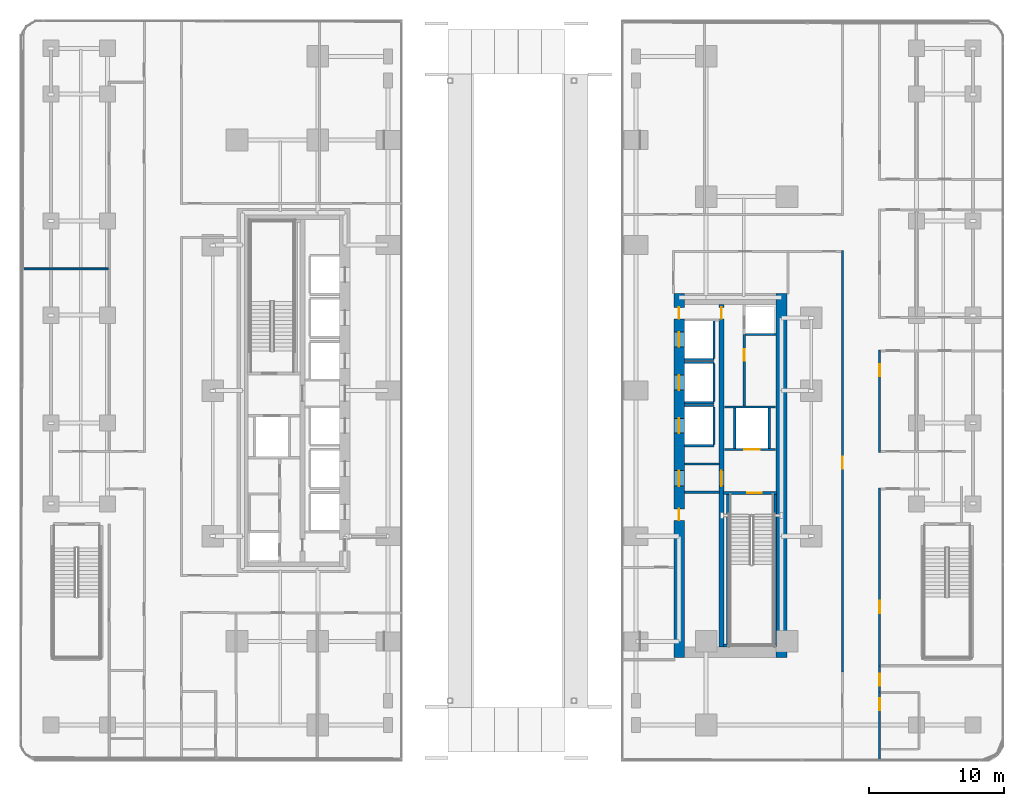
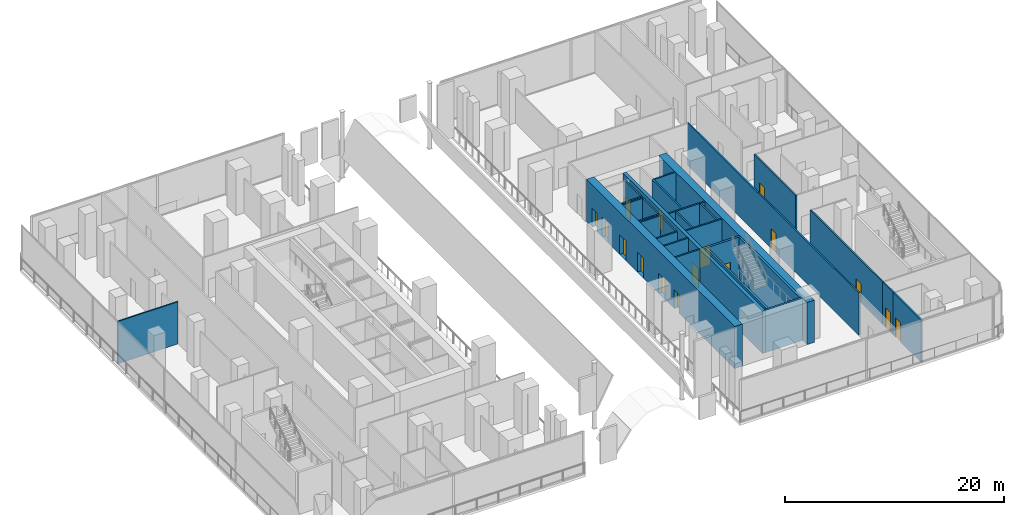
# One storey, part 10 of 31: 29 walls, 16 doors, 16 openings.
"""IFC4 building model written with IfcOpenShell, lengths in metres."""

import ifcopenshell
import ifcopenshell.guid

model = None  # the IFC model being written
_history = None  # IfcOwnerHistory: only IFC2X3 demands one
_inside = {}  # id of a spatial element -> (the spatial element, [elements in it])
_under = {}  # id of a project, library or spatial element -> (it, [spatial elements below it])
_declared = {}  # id of a project -> (the project, [libraries it declares])
_typed = {}  # id of a type object -> (the type object, [elements of that type])
_made_of = {}  # id of a material, layer set ... -> (it, [elements and type objects made of it])


def new_model(schema):
    """Start an empty IFC model of exactly this schema.

    Asked for "IFC4X3", IfcOpenShell would pick the latest addendum, in which some entities
    have other attributes; the version numbers below select the first issue.
    IFC2X3 requires an IfcOwnerHistory on every rooted entity: one is made here for all.
    """
    global model, _history
    if schema == "IFC4X3":
        model = ifcopenshell.file(schema_version=(4, 3, 0, 0))
    else:
        model = ifcopenshell.file(schema=schema)
    _inside.clear()
    _under.clear()
    _declared.clear()
    _typed.clear()
    _made_of.clear()
    _history = None
    if model.schema == "IFC2X3":
        org = make("IfcOrganization", Name="unknown")
        user = make(
            "IfcPersonAndOrganization",
            ThePerson=make("IfcPerson", FamilyName="unknown"),
            TheOrganization=org,
        )
        app = make(
            "IfcApplication",
            ApplicationDeveloper=org,
            Version="unknown",
            ApplicationFullName="unknown",
            ApplicationIdentifier="unknown",
        )
        _history = make(
            "IfcOwnerHistory",
            OwningUser=user,
            OwningApplication=app,
            ChangeAction="ADDED",
            CreationDate=0,
        )
    return model


def make(cls, **values):
    """One entity of the class cls with the attributes given. An attribute that is None is left unset."""
    return model.create_entity(
        cls, **{name: value for name, value in values.items() if value is not None}
    )


def rooted(cls, **values):
    """An entity with a GlobalId (a new one), such as an element, a storey or a relation."""
    return make(cls, GlobalId=ifcopenshell.guid.new(), OwnerHistory=_history, **values)


def si_unit(unit_type, name, prefix=None):
    """IfcSIUnit, for example si_unit("LENGTHUNIT", "METRE", prefix="MILLI")."""
    return make("IfcSIUnit", UnitType=unit_type, Prefix=prefix, Name=name)


def assignment(units):
    """IfcUnitAssignment: the units of a project."""
    return None if units is None else make("IfcUnitAssignment", Units=units)


def point(xyz):
    """IfcCartesianPoint."""
    return None if xyz is None else make("IfcCartesianPoint", Coordinates=xyz)


def direction(xyz):
    """IfcDirection."""
    return None if xyz is None else make("IfcDirection", DirectionRatios=xyz)


def frame(location, z_axis=None, x_axis=None):
    """IfcAxis2Placement3D, a coordinate frame: its origin and axes. An axis left out is left unset."""
    return make(
        "IfcAxis2Placement3D",
        Location=point(location),
        Axis=direction(z_axis),
        RefDirection=direction(x_axis),
    )


def frame_2d(location, x_axis=None):
    """IfcAxis2Placement2D, a coordinate frame in the plane: its origin and x axis."""
    return make(
        "IfcAxis2Placement2D", Location=point(location), RefDirection=direction(x_axis)
    )


def origin():
    """The frame at (0, 0, 0) with its axes left unset."""
    return frame((0.0, 0.0, 0.0))


def place(relative_to, where):
    """IfcLocalPlacement: puts the frame where relative to a parent placement (None: the world)."""
    return make(
        "IfcLocalPlacement", PlacementRelTo=relative_to, RelativePlacement=where
    )


def context(
    kind, dimensions, precision=None, world=None, true_north=None, identifier=None
):
    """IfcGeometricRepresentationContext, for example the 3D "Model" context."""
    return make(
        "IfcGeometricRepresentationContext",
        ContextIdentifier=identifier,
        ContextType=kind,
        CoordinateSpaceDimension=dimensions,
        Precision=precision,
        WorldCoordinateSystem=world,
        TrueNorth=true_north,
    )


def subcontext(parent, identifier, kind, view, scale=None):
    """IfcGeometricRepresentationSubContext, for example "Body" below "Model"."""
    return make(
        "IfcGeometricRepresentationSubContext",
        ContextIdentifier=identifier,
        ContextType=kind,
        ParentContext=parent,
        TargetScale=scale,
        TargetView=view,
    )


def project(units=None, contexts=None):
    """IfcProject with its units and contexts."""
    return rooted(
        "IfcProject",
        Name="project",
        RepresentationContexts=contexts,
        UnitsInContext=assignment(units),
    )


def spatial(cls, under=None, at=None, **own):
    """A site, building, storey or space (cls), placed at a placement, below another one or the project."""
    s = rooted(cls, ObjectPlacement=at, **own)
    if under is not None:
        _under.setdefault(under.id(), (under, []))[1].append(s)
    return s


def profile(cls, at=None, kind="AREA", **sizes):
    """A parametric profile (cls). Its sizes go by their IFC names, for example OverallWidth=200.0."""
    return make(cls, ProfileType=kind, Position=at, **sizes)


def rectangle(**sizes):
    """IfcRectangleProfileDef."""
    return profile("IfcRectangleProfileDef", **sizes)


def extrude(swept, where, along, depth):
    """IfcExtrudedAreaSolid: the profile swept, set in the frame where, extruded along a direction by depth."""
    return make(
        "IfcExtrudedAreaSolid",
        SweptArea=swept,
        Position=where,
        ExtrudedDirection=direction(along),
        Depth=depth,
    )


def shape(context_of_items, identifier, shape_type, items):
    """IfcShapeRepresentation: the items that make up one representation, for example the "Body"."""
    return make(
        "IfcShapeRepresentation",
        ContextOfItems=context_of_items,
        RepresentationIdentifier=identifier,
        RepresentationType=shape_type,
        Items=items,
    )


def material(Name=None, Category=None):
    """IfcMaterial."""
    return make("IfcMaterial", Name=Name, Category=Category)


def layer(
    of_material, thickness, ventilated=None, Name=None, Category=None, Priority=None
):
    """IfcMaterialLayer: one layer of a wall or slab, of a material (None: an air gap)."""
    return make(
        "IfcMaterialLayer",
        Material=of_material,
        LayerThickness=thickness,
        IsVentilated=ventilated,
        Name=Name,
        Category=Category,
        Priority=Priority,
    )


def layer_set(layers, Name=None):
    """IfcMaterialLayerSet."""
    return make("IfcMaterialLayerSet", MaterialLayers=layers, LayerSetName=Name)


def made_of(thing, what):
    """Note that an element or type object is made of a material, layer set ...; save() writes the relation."""
    if what is not None:
        _made_of.setdefault(what.id(), (what, []))[1].append(thing)
    return thing


def type_object(cls, material=None, **own):
    """A type object (cls), such as IfcWallType, which elements share."""
    return made_of(rooted(cls, **own), material)


def element(
    cls,
    number,
    at=None,
    inside=None,
    cuts=None,
    type_object=None,
    material=None,
    context=None,
    identifier="Body",
    shape_type=None,
    held_by="IfcProductDefinitionShape",
    body=None,
    shapes=None,
    **own,
):
    """One element of the class cls, such as IfcWall. Its Tag is "e" and its number.

    at: its placement. inside: the storey or other place that contains it. cuts: it is an
    opening in that element (IfcRelVoidsElement). A single representation is given by context,
    identifier, shape_type and body (its items); several are given by shapes. held_by: the class
    of the entity that holds the representations. save() writes the other relations.
    """
    e = rooted(cls, Tag="e%d" % number, ObjectPlacement=at, **own)
    if body is not None:
        shapes = [shape(context, identifier, shape_type, body)]
    if shapes is not None:
        e.Representation = make(held_by, Representations=shapes)
    if inside is not None:
        _inside.setdefault(inside.id(), (inside, []))[1].append(e)
    if cuts is not None:
        rooted(
            "IfcRelVoidsElement", RelatingBuildingElement=cuts, RelatedOpeningElement=e
        )
    if type_object is not None:
        _typed.setdefault(type_object.id(), (type_object, []))[1].append(e)
    return made_of(e, material)


def fill(opening, filler):
    """IfcRelFillsElement: the door or window that sits in an opening."""
    return rooted(
        "IfcRelFillsElement",
        RelatingOpeningElement=opening,
        RelatedBuildingElement=filler,
    )


def aggregate(whole, parts):
    """IfcRelAggregates: a whole, such as a stair, and the parts it consists of."""
    return rooted("IfcRelAggregates", RelatingObject=whole, RelatedObjects=parts)


def save(model, path):
    """Write the relations noted so far, then the file.

    IfcRelAggregates (storeys below a building ...), IfcRelContainedInSpatialStructure (elements
    in a storey), IfcRelDefinesByType, IfcRelAssociatesMaterial and IfcRelDeclares: one each for
    every whole, place, type object, material and project.
    """
    for whole, parts in _under.values():
        aggregate(whole, parts)
    for where, things in _inside.values():
        rooted(
            "IfcRelContainedInSpatialStructure",
            RelatedElements=things,
            RelatingStructure=where,
        )
    for kind, things in _typed.values():
        rooted("IfcRelDefinesByType", RelatedObjects=things, RelatingType=kind)
    for what, things in _made_of.values():
        rooted("IfcRelAssociatesMaterial", RelatedObjects=things, RelatingMaterial=what)
    for by, libraries in _declared.values():
        rooted("IfcRelDeclares", RelatingContext=by, RelatedDefinitions=libraries)
    model.write(path)


model = new_model("IFC4")

# Units and contexts
model_context = context("Model", 3, precision=1e-05, world=origin(), true_north=direction((0.0, 1.0)))
body_context = subcontext(model_context, "Body", "Model", "MODEL_VIEW")
ifc_project = project(units=[si_unit("LENGTHUNIT", "METRE"), si_unit("AREAUNIT", "SQUARE_METRE"), si_unit("VOLUMEUNIT", "CUBIC_METRE"), si_unit("PLANEANGLEUNIT", "RADIAN"), si_unit("MASSUNIT", "GRAM", prefix="KILO")], contexts=[model_context])

# Site, building, storey
site_placement = place(None, origin())
site = spatial("IfcSite", under=ifc_project, at=site_placement, CompositionType="ELEMENT")
building_placement = place(site_placement, origin())
building = spatial("IfcBuilding", under=site, at=building_placement, Name="Khairoan Windgate Tower", CompositionType="ELEMENT")
storey_placement = place(building_placement, frame((0.0, 0.0, 11.0)))
storey = spatial("IfcBuildingStorey", under=building, at=storey_placement, Name="L03", CompositionType="ELEMENT", Elevation=11.0)

# Walls
ifc_material_1 = material(Name="Concrete C40/50", Category="concrete")
ifc_layer_1 = layer(ifc_material_1, 0.159912109375, Name="Concrete C40/50")
ifc_layer_set_1 = layer_set([ifc_layer_1], Name="Concrete C40/50")
wall_type_1 = type_object("IfcWallType", Name="Core and Hoistway Enclosure Wall", PredefinedType="STANDARD", material=ifc_layer_set_1)
wall_1_placement = place(storey_placement, frame((12.800048828125, 2.31005859375, 0.0), z_axis=(0.0, 0.0, 1.0), x_axis=(1.0, 0.0, 0.0)))
element("IfcWall", 1, at=wall_1_placement, inside=storey, type_object=wall_type_1, Name="L03 Lift PL7 Hoistway Divider S", PredefinedType="STANDARD", context=body_context, shape_type="SweptSolid", body=[
    extrude(rectangle(XDim=2.18994140625, YDim=0.159912109375, at=frame_2d((1.094970703125, 0.0))), origin(), (0.0, 0.0, 1.0), 4.699951171875),
])
wall_2_placement = place(storey_placement, frame((14.989990234375, 2.39990234375, 0.0), z_axis=(0.0, 0.0, 1.0), x_axis=(0.0, 1.0, 0.0)))
element("IfcWall", 2, at=wall_2_placement, inside=storey, type_object=wall_type_1, Name="L03 Lift PL7 Hoistway Back Wall", PredefinedType="STANDARD", context=body_context, shape_type="SweptSolid", body=[
    extrude(rectangle(XDim=2.800048828125, YDim=0.159912109375, at=frame_2d((1.39990234375, 0.0))), origin(), (0.0, 0.0, 1.0), 4.699951171875),
])
for number, where, z_axis, x_axis, name in (
    (3, (12.800048828125, -0.889892578125, 0.0), (0.0, 0.0, 1.0), (1.0, 0.0, 0.0), "L03 Lift PL8 Hoistway Divider S"),
    (4, (12.800048828125, 2.090087890625, 0.0), (0.0, 0.0, 1.0), (1.0, 0.0, 0.0), "L03 Lift PL8 Hoistway Divider N"),
):
    element("IfcWall", number, at=place(storey_placement, frame(where, z_axis=z_axis, x_axis=x_axis)), inside=storey, type_object=wall_type_1, Name=name, PredefinedType="STANDARD", context=body_context, shape_type="SweptSolid", body=[
        extrude(rectangle(XDim=2.18994140625, YDim=0.159912109375, at=frame_2d((1.094970703125, 0.0))), origin(), (0.0, 0.0, 1.0), 4.699951171875),
    ])
wall_3_placement = place(storey_placement, frame((14.989990234375, -0.800048828125, 0.0), z_axis=(0.0, 0.0, 1.0), x_axis=(0.0, 1.0, 0.0)))
element("IfcWall", 5, at=wall_3_placement, inside=storey, type_object=wall_type_1, Name="L03 Lift PL8 Hoistway Back Wall", PredefinedType="STANDARD", context=body_context, shape_type="SweptSolid", body=[
    extrude(rectangle(XDim=2.800048828125, YDim=0.159912109375, at=frame_2d((1.39990234375, 0.0))), origin(), (0.0, 0.0, 1.0), 4.699951171875),
])
for number, where, z_axis, x_axis, name in (
    (6, (12.800048828125, -4.090087890625, 0.0), (0.0, 0.0, 1.0), (1.0, 0.0, 0.0), "L03 Lift PL9 Hoistway Divider S"),
    (7, (12.800048828125, -1.110107421875, 0.0), (0.0, 0.0, 1.0), (1.0, 0.0, 0.0), "L03 Lift PL9 Hoistway Divider N"),
):
    element("IfcWall", number, at=place(storey_placement, frame(where, z_axis=z_axis, x_axis=x_axis)), inside=storey, type_object=wall_type_1, Name=name, PredefinedType="STANDARD", context=body_context, shape_type="SweptSolid", body=[
        extrude(rectangle(XDim=2.18994140625, YDim=0.159912109375, at=frame_2d((1.094970703125, 0.0))), origin(), (0.0, 0.0, 1.0), 4.699951171875),
    ])
wall_4_placement = place(storey_placement, frame((14.989990234375, -4.0, 0.0), z_axis=(0.0, 0.0, 1.0), x_axis=(0.0, 1.0, 0.0)))
element("IfcWall", 8, at=wall_4_placement, inside=storey, type_object=wall_type_1, Name="L03 Lift PL9 Hoistway Back Wall", PredefinedType="STANDARD", context=body_context, shape_type="SweptSolid", body=[
    extrude(rectangle(XDim=2.800048828125, YDim=0.159912109375, at=frame_2d((1.39990234375, 0.0))), origin(), (0.0, 0.0, 1.0), 4.699951171875),
])

# Wall, opening, door
wall_5_placement = place(storey_placement, frame((15.75, -4.360107421875, 0.0), z_axis=(0.0, 0.0, 1.0), x_axis=(1.0, 0.0, 0.0)))
wall_5 = element("IfcWall", 9, at=wall_5_placement, inside=storey, type_object=wall_type_1, Name="L03 Core Shaft Wall SW-FL1-L03", PredefinedType="STANDARD", context=body_context, shape_type="SweptSolid", body=[
    extrude(rectangle(XDim=3.800048828125, YDim=0.159912109375, at=frame_2d((1.89990234375, 0.0))), origin(), (0.0, 0.0, 1.0), 4.699951171875),
])
opening_1_placement = place(wall_5_placement, frame((1.469970703125, 0.0, 0.0)))
opening_1 = element("IfcOpeningElement", 10, at=opening_1_placement, cuts=wall_5, Name="Opening LD-FL", PredefinedType="OPENING", context=body_context, shape_type="SweptSolid", body=[
    extrude(rectangle(XDim=1.14990234375, YDim=2.199951171875, at=frame_2d((0.574951171875, 1.10009765625))), frame((0.0, 0.08984375, 0.0), z_axis=(0.0, -1.0, 0.0), x_axis=(1.0, 0.0, 0.0)), (0.0, 0.0, 1.0), 0.179931640625),
])
ifc_material_2 = material(Name="Steel S355", Category="steel")
door_type_1 = type_object("IfcDoorType", Name="Firefighting Lift Sliding Landing Door LD-FL 1150x2200", OperationType="DOUBLE_DOOR_SLIDING", PredefinedType="DOOR", material=ifc_material_2)
door_1_placement = place(opening_1_placement, origin())
door_1 = element("IfcDoor", 11, at=door_1_placement, inside=storey, type_object=door_type_1, Name="L03 Firefighting Lift FL1 Landing Door", OperationType="DOUBLE_DOOR_SLIDING", OverallHeight=2.199951171875, OverallWidth=1.14990234375, PredefinedType="DOOR", context=body_context, shape_type="SweptSolid", body=[
    extrude(rectangle(XDim=1.14990234375, YDim=2.199951171875, at=frame_2d((0.574951171875, 1.10009765625))), frame((0.0, 0.02490234375, 0.0), z_axis=(0.0, -1.0, 0.0), x_axis=(1.0, 0.0, 0.0)), (0.0, 0.0, 1.0), 0.050048828125),
])
fill(opening_1, door_1)

# Walls
wall_6_placement = place(storey_placement, frame((15.75, -1.219970703125, 0.0), z_axis=(0.0, 0.0, 1.0), x_axis=(1.0, 0.0, 0.0)))
element("IfcWall", 12, at=wall_6_placement, inside=storey, type_object=wall_type_1, Name="L03 Core Shaft Wall SW-FL1T-L03", PredefinedType="STANDARD", context=body_context, shape_type="SweptSolid", body=[
    extrude(rectangle(XDim=3.800048828125, YDim=0.159912109375, at=frame_2d((1.89990234375, 0.0))), origin(), (0.0, 0.0, 1.0), 4.699951171875),
])
for number, where, z_axis, x_axis, name in (
    (13, (16.52001953125, -4.280029296875, 0.0), (0.0, 0.0, 1.0), (0.0, 1.0, 0.0), "L03 Core Shaft Wall SW-FL1W-L03"),
    (14, (19.080078125, -4.280029296875, 0.0), (0.0, 0.0, 1.0), (0.0, 1.0, 0.0), "L03 Core Shaft Wall SW-FL1E-L03"),
):
    element("IfcWall", number, at=place(storey_placement, frame(where, z_axis=z_axis, x_axis=x_axis)), inside=storey, type_object=wall_type_1, Name=name, PredefinedType="STANDARD", context=body_context, shape_type="SweptSolid", body=[
        extrude(rectangle(XDim=2.97998046875, YDim=0.159912109375, at=frame_2d((1.489990234375, 0.0))), origin(), (0.0, 0.0, 1.0), 4.699951171875),
    ])
for number, where, z_axis, x_axis, name in (
    (15, (12.800048828125, -5.449951171875, 0.0), (0.0, 0.0, 1.0), (1.0, 0.0, 0.0), "L03 Core Shaft Wall SW-EV1-L03"),
    (16, (12.800048828125, -7.5400390625, 0.0), (0.0, 0.0, 1.0), (1.0, 0.0, 0.0), "L03 Core Shaft Wall SW-EV2-L03"),
):
    element("IfcWall", number, at=place(storey_placement, frame(where, z_axis=z_axis, x_axis=x_axis)), inside=storey, type_object=wall_type_1, Name=name, PredefinedType="STANDARD", context=body_context, shape_type="SweptSolid", body=[
        extrude(rectangle(XDim=2.599853515625, YDim=0.159912109375, at=frame_2d((1.2998046875, 0.0))), origin(), (0.0, 0.0, 1.0), 4.699951171875),
    ])
ifc_material_3 = material(Name="Acoustic Fire-Rated Gypsum Partition", Category="gypsum")
ifc_layer_2 = layer(ifc_material_3, 0.139892578125, Name="Acoustic Fire-Rated Gypsum Partition")
ifc_layer_set_2 = layer_set([ifc_layer_2], Name="Acoustic Fire-Rated Gypsum Partition")
wall_type_2 = type_object("IfcWallType", Name="Inter-Tenancy Compartment Wall", PredefinedType="PARTITIONING", material=ifc_layer_set_2)
wall_7_placement = place(storey_placement, frame((-36.29736328125, 9.0400390625, 0.0), z_axis=(0.0, 0.0, 1.0), x_axis=(1.0, 0.0, 0.0)))
element("IfcWall", 17, at=wall_7_placement, inside=storey, type_object=wall_type_2, Name="L03 Interior Partition 027", PredefinedType="PARTITIONING", context=body_context, shape_type="SweptSolid", body=[
    extrude(rectangle(XDim=6.347412109375, YDim=0.139892578125, at=frame_2d((3.173828125, 0.0))), origin(), (0.0, 0.0, 1.0), 4.699951171875),
])

# Wall, opening, door
ifc_material_4 = material(Name="Concrete C40/50", Category="concrete")
ifc_layer_3 = layer(ifc_material_4, 0.159912109375, Name="Concrete C40/50")
ifc_layer_set_3 = layer_set([ifc_layer_3], Name="Concrete C40/50")
wall_type_3 = type_object("IfcWallType", Name="Plant and Refuge Compartment Wall", PredefinedType="PARTITIONING", material=ifc_layer_set_3)
wall_8_placement = place(storey_placement, frame((17.22998046875, -1.139892578125, 0.0), z_axis=(0.0, 0.0, 1.0), x_axis=(0.0, 1.0, 0.0)))
wall_8 = element("IfcWall", 18, at=wall_8_placement, inside=storey, type_object=wall_type_3, Name="L03 Interior Partition 007", PredefinedType="PARTITIONING", context=body_context, shape_type="SweptSolid", body=[
    extrude(rectangle(XDim=5.309814453125, YDim=0.159912109375, at=frame_2d((2.65478515625, 0.0))), origin(), (0.0, 0.0, 1.0), 4.699951171875),
])
opening_2_placement = place(wall_8_placement, frame((3.375244140625, 0.0, 0.0)))
opening_2 = element("IfcOpeningElement", 19, at=opening_2_placement, cuts=wall_8, Name="Opening FD-SRV", PredefinedType="OPENING", context=body_context, shape_type="SweptSolid", body=[
    extrude(rectangle(XDim=0.85009765625, YDim=2.10009765625, at=frame_2d((0.425048828125, 1.050048828125))), frame((0.0, 0.08984375, 0.0), z_axis=(0.0, -1.0, 0.0), x_axis=(1.0, 0.0, 0.0)), (0.0, 0.0, 1.0), 0.179931640625),
])
ifc_material_5 = material(Name="Steel S355", Category="steel")
door_type_2 = type_object("IfcDoorType", Name="Core Service and Riser Fire Door FD-SRV 850x2100", OperationType="NOTDEFINED", PredefinedType="DOOR", material=ifc_material_5)
door_2_placement = place(opening_2_placement, origin())
door_2 = element("IfcDoor", 20, at=door_2_placement, inside=storey, type_object=door_type_2, Name="L03 L03-19-L03-21 Door", OperationType="SINGLE_SWING_RIGHT", OverallHeight=2.10009765625, OverallWidth=0.85009765625, PredefinedType="DOOR", context=body_context, shape_type="SweptSolid", body=[
    extrude(rectangle(XDim=0.85009765625, YDim=2.10009765625, at=frame_2d((0.425048828125, 1.050048828125))), frame((0.0, 0.02490234375, 0.0), z_axis=(0.0, -1.0, 0.0), x_axis=(1.0, 0.0, 0.0)), (0.0, 0.0, 1.0), 0.050048828125),
])
fill(opening_2, door_2)

# Wall
wall_9_placement = place(storey_placement, frame((17.31005859375, 4.169921875, 0.0), z_axis=(0.0, 0.0, 1.0), x_axis=(1.0, 0.0, 0.0)))
element("IfcWall", 21, at=wall_9_placement, inside=storey, type_object=wall_type_3, Name="L03 Interior Partition 008", PredefinedType="PARTITIONING", context=body_context, shape_type="SweptSolid", body=[
    extrude(rectangle(XDim=2.2900390625, YDim=0.159912109375, at=frame_2d((1.14501953125, 0.0))), origin(), (0.0, 0.0, 1.0), 4.699951171875),
])

# Wall, opening, door
ifc_material_6 = material(Name="Acoustic Fire-Rated Gypsum Partition", Category="gypsum")
ifc_layer_4 = layer(ifc_material_6, 0.14990234375, Name="Acoustic Fire-Rated Gypsum Partition")
ifc_layer_set_4 = layer_set([ifc_layer_4], Name="Acoustic Fire-Rated Gypsum Partition")
wall_type_4 = type_object("IfcWallType", Name="Rated Corridor Partition Wall", PredefinedType="PARTITIONING", material=ifc_layer_set_4)
wall_10_placement = place(storey_placement, frame((27.280029296875, -4.594970703125, 0.0), z_axis=(0.0, 0.0, 1.0), x_axis=(0.0, 1.0, 0.0)))
wall_10 = element("IfcWall", 22, at=wall_10_placement, inside=storey, type_object=wall_type_4, Name="L03 Interior Partition 038", PredefinedType="PARTITIONING", context=body_context, shape_type="SweptSolid", body=[
    extrude(rectangle(XDim=7.6298828125, YDim=0.14990234375, at=frame_2d((3.81494140625, 0.0))), origin(), (0.0, 0.0, 1.0), 4.699951171875),
])
opening_3_placement = place(wall_10_placement, frame((5.6689453125, 0.0, 0.0)))
opening_3 = element("IfcOpeningElement", 23, at=opening_3_placement, cuts=wall_10, Name="Opening FD-ENT", PredefinedType="OPENING", context=body_context, shape_type="SweptSolid", body=[
    extrude(rectangle(XDim=0.89990234375, YDim=2.14990234375, at=frame_2d((0.449951171875, 1.074951171875))), frame((0.0, 0.0849609375, 0.0), z_axis=(0.0, -1.0, 0.0), x_axis=(1.0, 0.0, 0.0)), (0.0, 0.0, 1.0), 0.169921875),
])
ifc_material_7 = material(Name="Timber Fire-Rated Core", Category="wood")
door_type_3 = type_object("IfcDoorType", Name="Unit and Office Fire Entrance Door FD-ENT 900x2150", OperationType="NOTDEFINED", PredefinedType="DOOR", material=ifc_material_7)
door_3_placement = place(opening_3_placement, origin())
door_3 = element("IfcDoor", 24, at=door_3_placement, inside=storey, type_object=door_type_3, Name="L03 L03-40-L03-46 Door", OperationType="SINGLE_SWING_RIGHT", OverallHeight=2.14990234375, OverallWidth=0.89990234375, PredefinedType="DOOR", context=body_context, shape_type="SweptSolid", body=[
    extrude(rectangle(XDim=0.89990234375, YDim=2.14990234375, at=frame_2d((0.449951171875, 1.074951171875))), frame((0.0, 0.02490234375, 0.0), z_axis=(0.0, -1.0, 0.0), x_axis=(1.0, 0.0, 0.0)), (0.0, 0.0, 1.0), 0.050048828125),
])
fill(opening_3, door_3)

wall_11_placement = place(storey_placement, frame((27.280029296875, -27.42138671875, 0.0), z_axis=(0.0, 0.0, 1.0), x_axis=(0.0, 1.0, 0.0)))
wall_11 = element("IfcWall", 25, at=wall_11_placement, inside=storey, type_object=wall_type_4, Name="L03 Interior Partition 041", PredefinedType="PARTITIONING", context=body_context, shape_type="SweptSolid", body=[
    extrude(rectangle(XDim=5.061279296875, YDim=0.14990234375, at=frame_2d((2.53076171875, 0.0))), origin(), (0.0, 0.0, 1.0), 4.699951171875),
])
opening_4_placement = place(wall_11_placement, frame((3.701416015625, 0.0, 0.0)))
opening_4 = element("IfcOpeningElement", 26, at=opening_4_placement, cuts=wall_11, Name="Opening FD-ENT", PredefinedType="OPENING", context=body_context, shape_type="SweptSolid", body=[
    extrude(rectangle(XDim=0.89990234375, YDim=2.14990234375, at=frame_2d((0.449951171875, 1.074951171875))), frame((0.0, 0.0849609375, 0.0), z_axis=(0.0, -1.0, 0.0), x_axis=(1.0, 0.0, 0.0)), (0.0, 0.0, 1.0), 0.169921875),
])
door_4_placement = place(opening_4_placement, origin())
door_4 = element("IfcDoor", 27, at=door_4_placement, inside=storey, type_object=door_type_3, Name="L03 L03-40-L03-52 Door", OperationType="SINGLE_SWING_LEFT", OverallHeight=2.14990234375, OverallWidth=0.89990234375, PredefinedType="DOOR", context=body_context, shape_type="SweptSolid", body=[
    extrude(rectangle(XDim=0.89990234375, YDim=2.14990234375, at=frame_2d((0.449951171875, 1.074951171875))), frame((0.0, 0.02490234375, 0.0), z_axis=(0.0, -1.0, 0.0), x_axis=(1.0, 0.0, 0.0)), (0.0, 0.0, 1.0), 0.050048828125),
])
fill(opening_4, door_4)

wall_12_placement = place(storey_placement, frame((24.52001953125, -20.8798828125, 0.0), z_axis=(0.0, 0.0, 1.0), x_axis=(0.0, 1.0, 0.0)))
wall_12 = element("IfcWall", 28, at=wall_12_placement, inside=storey, type_object=wall_type_4, Name="L03 Interior Partition 042", PredefinedType="PARTITIONING", context=body_context, shape_type="SweptSolid", body=[
    extrude(rectangle(XDim=31.27490234375, YDim=0.14990234375, at=frame_2d((15.637451171875, 0.0))), origin(), (0.0, 0.0, 1.0), 4.699951171875),
])
opening_5_placement = place(wall_12_placement, frame((15.08740234375, 0.0, 0.0)))
opening_5 = element("IfcOpeningElement", 29, at=opening_5_placement, cuts=wall_12, Name="Opening FD-ENT", PredefinedType="OPENING", context=body_context, shape_type="SweptSolid", body=[
    extrude(rectangle(XDim=0.89990234375, YDim=2.14990234375, at=frame_2d((0.449951171875, 1.074951171875))), frame((0.0, 0.0849609375, 0.0), z_axis=(0.0, -1.0, 0.0), x_axis=(1.0, 0.0, 0.0)), (0.0, 0.0, 1.0), 0.169921875),
])
door_5_placement = place(opening_5_placement, origin())
door_5 = element("IfcDoor", 30, at=door_5_placement, inside=storey, type_object=door_type_3, Name="L03 L03-40-L03-60 Door", OperationType="SINGLE_SWING_RIGHT", OverallHeight=2.14990234375, OverallWidth=0.89990234375, PredefinedType="DOOR", context=body_context, shape_type="SweptSolid", body=[
    extrude(rectangle(XDim=0.89990234375, YDim=2.14990234375, at=frame_2d((0.449951171875, 1.074951171875))), frame((0.0, 0.02490234375, 0.0), z_axis=(0.0, -1.0, 0.0), x_axis=(1.0, 0.0, 0.0)), (0.0, 0.0, 1.0), 0.050048828125),
])
fill(opening_5, door_5)

wall_13_placement = place(storey_placement, frame((27.280029296875, -20.419921875, 0.0), z_axis=(0.0, 0.0, 1.0), x_axis=(0.0, 1.0, 0.0)))
wall_13 = element("IfcWall", 31, at=wall_13_placement, inside=storey, type_object=wall_type_4, Name="L03 Interior Partition 043", PredefinedType="PARTITIONING", context=body_context, shape_type="SweptSolid", body=[
    extrude(rectangle(XDim=13.21484375, YDim=0.14990234375, at=frame_2d((6.607421875, 0.0))), origin(), (0.0, 0.0, 1.0), 4.699951171875),
])
opening_6_placement = place(wall_13_placement, frame((3.919189453125, 0.0, 0.0)))
opening_6 = element("IfcOpeningElement", 32, at=opening_6_placement, cuts=wall_13, Name="Opening FD-ENT", PredefinedType="OPENING", context=body_context, shape_type="SweptSolid", body=[
    extrude(rectangle(XDim=0.89990234375, YDim=2.14990234375, at=frame_2d((0.449951171875, 1.074951171875))), frame((0.0, 0.0849609375, 0.0), z_axis=(0.0, -1.0, 0.0), x_axis=(1.0, 0.0, 0.0)), (0.0, 0.0, 1.0), 0.169921875),
])
door_6_placement = place(opening_6_placement, origin())
door_6 = element("IfcDoor", 33, at=door_6_placement, inside=storey, type_object=door_type_3, Name="L03 L03-40-L03-61 Door", OperationType="SINGLE_SWING_LEFT", OverallHeight=2.14990234375, OverallWidth=0.89990234375, PredefinedType="DOOR", context=body_context, shape_type="SweptSolid", body=[
    extrude(rectangle(XDim=0.89990234375, YDim=2.14990234375, at=frame_2d((0.449951171875, 1.074951171875))), frame((0.0, 0.02490234375, 0.0), z_axis=(0.0, -1.0, 0.0), x_axis=(1.0, 0.0, 0.0)), (0.0, 0.0, 1.0), 0.050048828125),
])
fill(opening_6, door_6)

wall_14_placement = place(storey_placement, frame((27.280029296875, -22.360107421875, 0.0), z_axis=(0.0, 0.0, 1.0), x_axis=(0.0, 1.0, 0.0)))
wall_14 = element("IfcWall", 34, at=wall_14_placement, inside=storey, type_object=wall_type_4, Name="L03 Interior Partition 045", PredefinedType="PARTITIONING", context=body_context, shape_type="SweptSolid", body=[
    extrude(rectangle(XDim=1.940185546875, YDim=0.14990234375, at=frame_2d((0.97021484375, 0.0))), origin(), (0.0, 0.0, 1.0), 4.699951171875),
])
opening_7_placement = place(wall_14_placement, frame((0.4599609375, 0.0, 0.0)))
opening_7 = element("IfcOpeningElement", 35, at=opening_7_placement, cuts=wall_14, Name="Opening FD-ENT", PredefinedType="OPENING", context=body_context, shape_type="SweptSolid", body=[
    extrude(rectangle(XDim=0.89990234375, YDim=2.14990234375, at=frame_2d((0.449951171875, 1.074951171875))), frame((0.0, 0.0849609375, 0.0), z_axis=(0.0, -1.0, 0.0), x_axis=(1.0, 0.0, 0.0)), (0.0, 0.0, 1.0), 0.169921875),
])
door_7_placement = place(opening_7_placement, origin())
door_7 = element("IfcDoor", 36, at=door_7_placement, inside=storey, type_object=door_type_3, Name="L03 L03-40-L03-65 Door", OperationType="SINGLE_SWING_LEFT", OverallHeight=2.14990234375, OverallWidth=0.89990234375, PredefinedType="DOOR", context=body_context, shape_type="SweptSolid", body=[
    extrude(rectangle(XDim=0.89990234375, YDim=2.14990234375, at=frame_2d((0.449951171875, 1.074951171875))), frame((0.0, 0.02490234375, 0.0), z_axis=(0.0, -1.0, 0.0), x_axis=(1.0, 0.0, 0.0)), (0.0, 0.0, 1.0), 0.050048828125),
])
fill(opening_7, door_7)

# Wall, openings, doors
ifc_material_8 = material(Name="Concrete C70/85", Category="concrete")
ifc_layer_5 = layer(ifc_material_8, 0.800048828125, Name="Concrete C70/85")
ifc_layer_set_5 = layer_set([ifc_layer_5], Name="Concrete C70/85")
wall_type_5 = type_object("IfcWallType", Name="Shear Wall CW-E1 800mm", PredefinedType="SHEAR", material=ifc_layer_set_5)
wall_15_placement = place(storey_placement, frame((12.39990234375, -19.800048828125, 0.0), z_axis=(0.0, 0.0, 1.0), x_axis=(0.0, 1.0, 0.0)))
wall_15 = element("IfcWall", 37, at=wall_15_placement, inside=storey, type_object=wall_type_5, Name="E Core West Shear Wall L03", PredefinedType="SHEAR", context=body_context, shape_type="SweptSolid", body=[
    extrude(rectangle(XDim=27.0, YDim=0.800048828125, at=frame_2d((13.5, 0.0))), origin(), (0.0, 0.0, 1.0), 4.699951171875),
])
opening_8_placement = place(wall_15_placement, frame((23.050048828125, 0.0, 0.0)))
opening_8 = element("IfcOpeningElement", 38, at=opening_8_placement, cuts=wall_15, Name="Opening LD-PL", PredefinedType="OPENING", context=body_context, shape_type="SweptSolid", body=[
    extrude(rectangle(XDim=1.10009765625, YDim=2.199951171875, at=frame_2d((0.550048828125, 1.10009765625))), frame((0.0, 0.409912109375, 0.0), z_axis=(0.0, -1.0, 0.0), x_axis=(1.0, 0.0, 0.0)), (0.0, 0.0, 1.0), 0.820068359375),
])
opening_9_placement = place(wall_15_placement, frame((19.85009765625, 0.0, 0.0)))
opening_9 = element("IfcOpeningElement", 39, at=opening_9_placement, cuts=wall_15, Name="Opening LD-PL", PredefinedType="OPENING", context=body_context, shape_type="SweptSolid", body=[
    extrude(rectangle(XDim=1.10009765625, YDim=2.199951171875, at=frame_2d((0.550048828125, 1.10009765625))), frame((0.0, 0.409912109375, 0.0), z_axis=(0.0, -1.0, 0.0), x_axis=(1.0, 0.0, 0.0)), (0.0, 0.0, 1.0), 0.820068359375),
])
opening_10_placement = place(wall_15_placement, frame((16.64990234375, 0.0, 0.0)))
opening_10 = element("IfcOpeningElement", 40, at=opening_10_placement, cuts=wall_15, Name="Opening LD-PL", PredefinedType="OPENING", context=body_context, shape_type="SweptSolid", body=[
    extrude(rectangle(XDim=1.10009765625, YDim=2.199951171875, at=frame_2d((0.550048828125, 1.10009765625))), frame((0.0, 0.409912109375, 0.0), z_axis=(0.0, -1.0, 0.0), x_axis=(1.0, 0.0, 0.0)), (0.0, 0.0, 1.0), 0.820068359375),
])
opening_11_placement = place(wall_15_placement, frame((10.175048828125, 0.0, 0.0)))
opening_11 = element("IfcOpeningElement", 41, at=opening_11_placement, cuts=wall_15, Name="Opening FD-SRV", PredefinedType="OPENING", context=body_context, shape_type="SweptSolid", body=[
    extrude(rectangle(XDim=0.85009765625, YDim=2.10009765625, at=frame_2d((0.425048828125, 1.050048828125))), frame((0.0, 0.409912109375, 0.0), z_axis=(0.0, -1.0, 0.0), x_axis=(1.0, 0.0, 0.0)), (0.0, 0.0, 1.0), 0.820068359375),
])
opening_12_placement = place(wall_15_placement, frame((12.72509765625, 0.0, 0.0)))
opening_12 = element("IfcOpeningElement", 42, at=opening_12_placement, cuts=wall_15, Name="Opening FD-FFL", PredefinedType="OPENING", context=body_context, shape_type="SweptSolid", body=[
    extrude(rectangle(XDim=1.14990234375, YDim=2.199951171875, at=frame_2d((0.574951171875, 1.10009765625))), frame((0.0, 0.409912109375, 0.0), z_axis=(0.0, -1.0, 0.0), x_axis=(1.0, 0.0, 0.0)), (0.0, 0.0, 1.0), 0.820068359375),
])
opening_13_placement = place(wall_15_placement, frame((25.125, 0.0, 0.0)))
opening_13 = element("IfcOpeningElement", 43, at=opening_13_placement, cuts=wall_15, Name="Opening FD-SRV", PredefinedType="OPENING", context=body_context, shape_type="SweptSolid", body=[
    extrude(rectangle(XDim=0.85009765625, YDim=2.10009765625, at=frame_2d((0.425048828125, 1.050048828125))), frame((0.0, 0.409912109375, 0.0), z_axis=(0.0, -1.0, 0.0), x_axis=(1.0, 0.0, 0.0)), (0.0, 0.0, 1.0), 0.820068359375),
])
door_8_placement = place(opening_11_placement, origin())
door_8 = element("IfcDoor", 44, at=door_8_placement, inside=storey, type_object=door_type_2, Name="L03 East Core Service Room Door 1", OperationType="SINGLE_SWING_LEFT", OverallHeight=2.10009765625, OverallWidth=0.85009765625, PredefinedType="DOOR", context=body_context, shape_type="SweptSolid", body=[
    extrude(rectangle(XDim=0.85009765625, YDim=2.10009765625, at=frame_2d((0.425048828125, 1.050048828125))), frame((0.0, 0.02490234375, 0.0), z_axis=(0.0, -1.0, 0.0), x_axis=(1.0, 0.0, 0.0)), (0.0, 0.0, 1.0), 0.050048828125),
])
fill(opening_11, door_8)
door_9_placement = place(opening_13_placement, origin())
door_9 = element("IfcDoor", 45, at=door_9_placement, inside=storey, type_object=door_type_2, Name="L03 East Core Service Vestibule Outer Door", OperationType="SINGLE_SWING_RIGHT", OverallHeight=2.10009765625, OverallWidth=0.85009765625, PredefinedType="DOOR", context=body_context, shape_type="SweptSolid", body=[
    extrude(rectangle(XDim=0.85009765625, YDim=2.10009765625, at=frame_2d((0.425048828125, 1.050048828125))), frame((0.0, 0.02490234375, 0.0), z_axis=(0.0, -1.0, 0.0), x_axis=(1.0, 0.0, 0.0)), (0.0, 0.0, 1.0), 0.050048828125),
])
fill(opening_13, door_9)
ifc_material_9 = material(Name="Steel S355", Category="steel")
door_type_4 = type_object("IfcDoorType", Name="Firefighting Lobby Fire Door FD-FFL 1150x2200", OperationType="NOTDEFINED", PredefinedType="DOOR", material=ifc_material_9)
door_10_placement = place(opening_12_placement, origin())
door_10 = element("IfcDoor", 46, at=door_10_placement, inside=storey, type_object=door_type_4, Name="L03 East Core Vestibule Entry Door", OperationType="SINGLE_SWING_RIGHT", OverallHeight=2.199951171875, OverallWidth=1.14990234375, PredefinedType="DOOR", context=body_context, shape_type="SweptSolid", body=[
    extrude(rectangle(XDim=1.14990234375, YDim=2.199951171875, at=frame_2d((0.574951171875, 1.10009765625))), frame((0.0, 0.02490234375, 0.0), z_axis=(0.0, -1.0, 0.0), x_axis=(1.0, 0.0, 0.0)), (0.0, 0.0, 1.0), 0.050048828125),
])
fill(opening_12, door_10)
ifc_material_10 = material(Name="Anodised Bronze Aluminium 6063-T6", Category="aluminium")
door_type_5 = type_object("IfcDoorType", Name="Passenger Lift Sliding Landing Door LD-PL 1100x2200", OperationType="DOUBLE_DOOR_SLIDING", PredefinedType="DOOR", material=ifc_material_10)
door_11_placement = place(opening_8_placement, origin())
door_11 = element("IfcDoor", 47, at=door_11_placement, inside=storey, type_object=door_type_5, Name="L03 Lift PL7 Sliding Landing Door", OperationType="DOUBLE_DOOR_SLIDING", OverallHeight=2.199951171875, OverallWidth=1.10009765625, PredefinedType="DOOR", context=body_context, shape_type="SweptSolid", body=[
    extrude(rectangle(XDim=1.10009765625, YDim=2.199951171875, at=frame_2d((0.550048828125, 1.10009765625))), frame((0.0, 0.02490234375, 0.0), z_axis=(0.0, -1.0, 0.0), x_axis=(1.0, 0.0, 0.0)), (0.0, 0.0, 1.0), 0.050048828125),
])
fill(opening_8, door_11)
door_12_placement = place(opening_9_placement, origin())
door_12 = element("IfcDoor", 48, at=door_12_placement, inside=storey, type_object=door_type_5, Name="L03 Lift PL8 Sliding Landing Door", OperationType="DOUBLE_DOOR_SLIDING", OverallHeight=2.199951171875, OverallWidth=1.10009765625, PredefinedType="DOOR", context=body_context, shape_type="SweptSolid", body=[
    extrude(rectangle(XDim=1.10009765625, YDim=2.199951171875, at=frame_2d((0.550048828125, 1.10009765625))), frame((0.0, 0.02490234375, 0.0), z_axis=(0.0, -1.0, 0.0), x_axis=(1.0, 0.0, 0.0)), (0.0, 0.0, 1.0), 0.050048828125),
])
fill(opening_9, door_12)
door_13_placement = place(opening_10_placement, origin())
door_13 = element("IfcDoor", 49, at=door_13_placement, inside=storey, type_object=door_type_5, Name="L03 Lift PL9 Sliding Landing Door", OperationType="DOUBLE_DOOR_SLIDING", OverallHeight=2.199951171875, OverallWidth=1.10009765625, PredefinedType="DOOR", context=body_context, shape_type="SweptSolid", body=[
    extrude(rectangle(XDim=1.10009765625, YDim=2.199951171875, at=frame_2d((0.550048828125, 1.10009765625))), frame((0.0, 0.02490234375, 0.0), z_axis=(0.0, -1.0, 0.0), x_axis=(1.0, 0.0, 0.0)), (0.0, 0.0, 1.0), 0.050048828125),
])
fill(opening_10, door_13)

# Wall
wall_16_placement = place(storey_placement, frame((20.0, -19.800048828125, 0.0), z_axis=(0.0, 0.0, 1.0), x_axis=(0.0, 1.0, 0.0)))
element("IfcWall", 50, at=wall_16_placement, inside=storey, type_object=wall_type_5, Name="E Core East Shear Wall L03", PredefinedType="SHEAR", context=body_context, shape_type="SweptSolid", body=[
    extrude(rectangle(XDim=27.0, YDim=0.800048828125, at=frame_2d((13.5, 0.0))), origin(), (0.0, 0.0, 1.0), 4.699951171875),
])

# Wall, openings, doors
ifc_material_11 = material(Name="Concrete C60/75", Category="concrete")
ifc_layer_6 = layer(ifc_material_11, 0.35009765625, Name="Concrete C60/75")
ifc_layer_set_6 = layer_set([ifc_layer_6], Name="Concrete C60/75")
wall_type_6 = type_object("IfcWallType", Name="Shear Wall SW-1 350mm", PredefinedType="SHEAR", material=ifc_layer_set_6)
wall_17_placement = place(storey_placement, frame((15.550048828125, -19.0, 0.0), z_axis=(0.0, 0.0, 1.0), x_axis=(0.0, 1.0, 0.0)))
wall_17 = element("IfcWall", 51, at=wall_17_placement, inside=storey, type_object=wall_type_6, Name="E Core Spine Shear Wall L03", PredefinedType="SHEAR", context=body_context, shape_type="SweptSolid", body=[
    extrude(rectangle(XDim=25.39990234375, YDim=0.35009765625, at=frame_2d((12.699951171875, 0.0))), origin(), (0.0, 0.0, 1.0), 4.699951171875),
])
opening_14_placement = place(wall_17_placement, frame((11.925048828125, 0.0, 0.0)))
opening_14 = element("IfcOpeningElement", 52, at=opening_14_placement, cuts=wall_17, Name="Opening FD-FFL", PredefinedType="OPENING", context=body_context, shape_type="SweptSolid", body=[
    extrude(rectangle(XDim=1.14990234375, YDim=2.199951171875, at=frame_2d((0.574951171875, 1.10009765625))), frame((0.0, 0.18505859375, 0.0), z_axis=(0.0, -1.0, 0.0), x_axis=(1.0, 0.0, 0.0)), (0.0, 0.0, 1.0), 0.3701171875),
])
opening_15_placement = place(wall_17_placement, frame((24.324951171875, 0.0, 0.0)))
opening_15 = element("IfcOpeningElement", 53, at=opening_15_placement, cuts=wall_17, Name="Opening FD-SRV", PredefinedType="OPENING", context=body_context, shape_type="SweptSolid", body=[
    extrude(rectangle(XDim=0.85009765625, YDim=2.10009765625, at=frame_2d((0.425048828125, 1.050048828125))), frame((0.0, 0.18505859375, 0.0), z_axis=(0.0, -1.0, 0.0), x_axis=(1.0, 0.0, 0.0)), (0.0, 0.0, 1.0), 0.3701171875),
])
door_14_placement = place(opening_15_placement, origin())
door_14 = element("IfcDoor", 54, at=door_14_placement, inside=storey, type_object=door_type_2, Name="L03 East Core Service Passage Inner Door", OperationType="SINGLE_SWING_LEFT", OverallHeight=2.10009765625, OverallWidth=0.85009765625, PredefinedType="DOOR", context=body_context, shape_type="SweptSolid", body=[
    extrude(rectangle(XDim=0.85009765625, YDim=2.10009765625, at=frame_2d((0.425048828125, 1.050048828125))), frame((0.0, 0.02490234375, 0.0), z_axis=(0.0, -1.0, 0.0), x_axis=(1.0, 0.0, 0.0)), (0.0, 0.0, 1.0), 0.050048828125),
])
fill(opening_15, door_14)
door_15_placement = place(opening_14_placement, origin())
door_15 = element("IfcDoor", 55, at=door_15_placement, inside=storey, type_object=door_type_4, Name="L03 East Firefighting Lobby Fire Door", OperationType="SINGLE_SWING_LEFT", OverallHeight=2.199951171875, OverallWidth=1.14990234375, PredefinedType="DOOR", context=body_context, shape_type="SweptSolid", body=[
    extrude(rectangle(XDim=1.14990234375, YDim=2.199951171875, at=frame_2d((0.574951171875, 1.10009765625))), frame((0.0, 0.02490234375, 0.0), z_axis=(0.0, -1.0, 0.0), x_axis=(1.0, 0.0, 0.0)), (0.0, 0.0, 1.0), 0.050048828125),
])
fill(opening_14, door_15)

# Walls
ifc_material_12 = material(Name="Concrete C50/60", Category="concrete")
ifc_layer_7 = layer(ifc_material_12, 0.219970703125, Name="Concrete C50/60")
ifc_layer_set_7 = layer_set([ifc_layer_7], Name="Concrete C50/60")
wall_type_7 = type_object("IfcWallType", Name="Shear Wall SW-ST 220mm", PredefinedType="SHEAR", material=ifc_layer_set_7)
for number, where, z_axis, x_axis, name in (
    (56, (16.0400390625, -18.889892578125, 0.0), (0.0, 0.0, 1.0), (0.0, 1.0, 0.0), "L03 Stair ST1 West Bearing Wall"),
    (57, (19.530029296875, -18.889892578125, 0.0), (0.0, 0.0, 1.0), (0.0, 1.0, 0.0), "L03 Stair ST1 East Bearing Wall"),
):
    element("IfcWall", number, at=place(storey_placement, frame(where, z_axis=z_axis, x_axis=x_axis)), inside=storey, type_object=wall_type_7, Name=name, PredefinedType="SHEAR", context=body_context, shape_type="SweptSolid", body=[
        extrude(rectangle(XDim=11.2998046875, YDim=0.219970703125, at=frame_2d((5.64990234375, 0.0))), origin(), (0.0, 0.0, 1.0), 4.699951171875),
    ])
wall_18_placement = place(storey_placement, frame((15.705078125, -18.889892578125, 0.0), z_axis=(0.0, 0.0, 1.0), x_axis=(1.0, 0.0, 0.0)))
element("IfcWall", 58, at=wall_18_placement, inside=storey, type_object=wall_type_7, Name="L03 Stair ST1 South Bearing Wall", PredefinedType="SHEAR", context=body_context, shape_type="SweptSolid", body=[
    extrude(rectangle(XDim=3.9150390625, YDim=0.219970703125, at=frame_2d((1.95751953125, 0.0))), origin(), (0.0, 0.0, 1.0), 4.699951171875),
])

# Wall, opening, door
wall_19_placement = place(storey_placement, frame((19.6201171875, -7.590087890625, 0.0), z_axis=(0.0, 0.0, 1.0), x_axis=(-1.0, 0.0, 0.0)))
wall_19 = element("IfcWall", 59, at=wall_19_placement, inside=storey, type_object=wall_type_7, Name="L03 Stair ST1 North Bearing Wall", PredefinedType="SHEAR", context=body_context, shape_type="SweptSolid", body=[
    extrude(rectangle(XDim=3.9150390625, YDim=0.219970703125, at=frame_2d((1.95751953125, 0.0))), origin(), (0.0, 0.0, 1.0), 4.699951171875),
])
opening_16_placement = place(wall_19_placement, frame((1.080078125, 0.0, 0.0)))
opening_16 = element("IfcOpeningElement", 60, at=opening_16_placement, cuts=wall_19, Name="Opening FD-ST", PredefinedType="OPENING", context=body_context, shape_type="SweptSolid", body=[
    extrude(rectangle(XDim=1.10009765625, YDim=2.199951171875, at=frame_2d((0.550048828125, 1.10009765625))), frame((0.0, 0.119873046875, 0.0), z_axis=(0.0, -1.0, 0.0), x_axis=(1.0, 0.0, 0.0)), (0.0, 0.0, 1.0), 0.239990234375),
])
ifc_material_13 = material(Name="Steel S355", Category="steel")
door_type_6 = type_object("IfcDoorType", Name="Smokeproof Stair Fire Door FD-ST 1100x2200", OperationType="NOTDEFINED", PredefinedType="DOOR", material=ifc_material_13)
door_16_placement = place(opening_16_placement, origin())
door_16 = element("IfcDoor", 61, at=door_16_placement, inside=storey, type_object=door_type_6, Name="L03 Stair ST1 Fire Door", OperationType="SINGLE_SWING_LEFT", OverallHeight=2.199951171875, OverallWidth=1.10009765625, PredefinedType="DOOR", context=body_context, shape_type="SweptSolid", body=[
    extrude(rectangle(XDim=1.10009765625, YDim=2.199951171875, at=frame_2d((0.550048828125, 1.10009765625))), frame((0.0, 0.02490234375, 0.0), z_axis=(0.0, -1.0, 0.0), x_axis=(1.0, 0.0, 0.0)), (0.0, 0.0, 1.0), 0.050048828125),
])
fill(opening_16, door_16)

save(model, "model.ifc")
